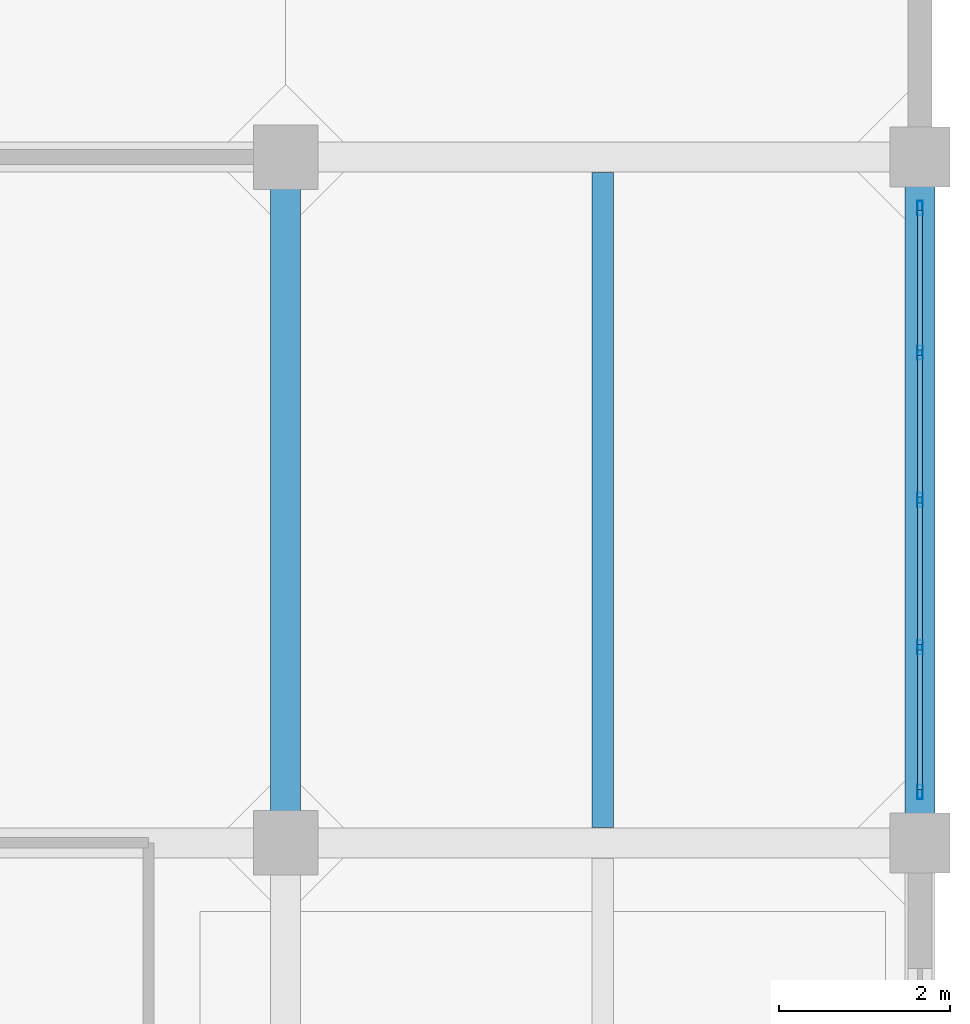
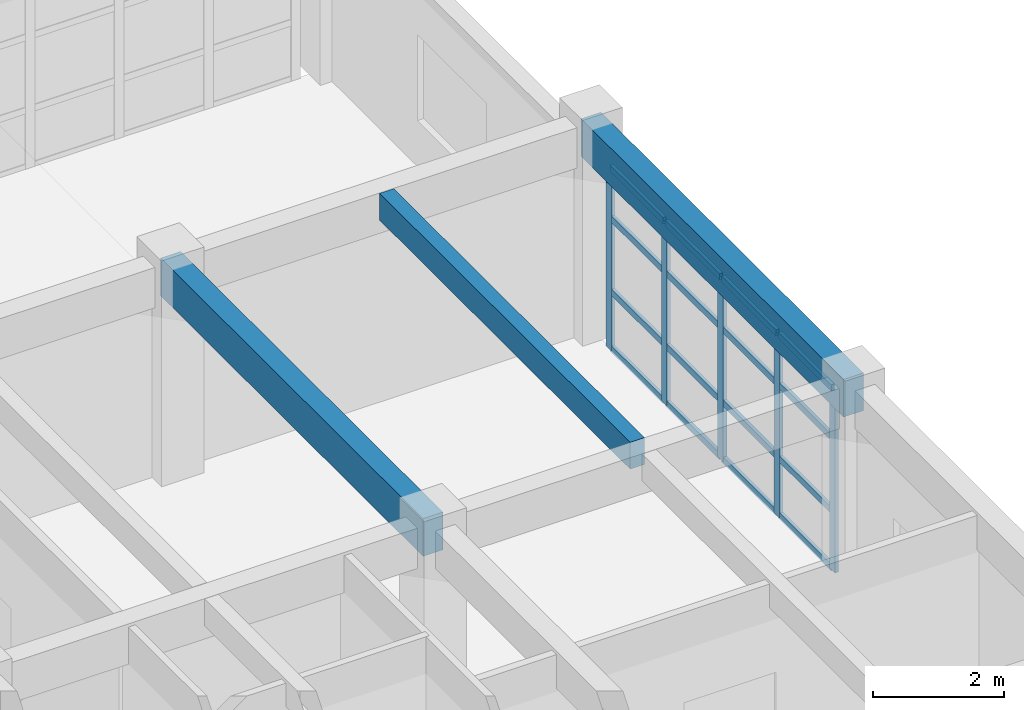
# One storey, part 9 of 19: 21 members, 3 beams, 1 element without a shape of its own.
"""IFC4 building model written with IfcOpenShell, lengths in metres."""

from ifc_helpers import new_model, si_unit, direction, frame, origin, origin_2d, place, context, subcontext, project, spatial, rectangle, hollow_rectangle, extrude, material, layer, layer_set, material_profile, profile_set, type_object, element, aggregate, save


model = new_model("IFC4")

# Units and contexts
model_context = context("Model", 3, precision=1e-05, world=origin(), true_north=direction((0.0, 1.0)))
body_context = subcontext(model_context, "Body", "Model", "MODEL_VIEW")
ifc_project = project(units=[si_unit("LENGTHUNIT", "METRE"), si_unit("AREAUNIT", "SQUARE_METRE"), si_unit("VOLUMEUNIT", "CUBIC_METRE"), si_unit("PLANEANGLEUNIT", "RADIAN"), si_unit("MASSUNIT", "GRAM", prefix="KILO")], contexts=[model_context])

# Site, building, storey
site_placement = place(None, origin())
site = spatial("IfcSite", under=ifc_project, at=site_placement, CompositionType="ELEMENT")
building_placement = place(site_placement, origin())
building = spatial("IfcBuilding", under=site, at=building_placement, Name="Canggui Botanical Conservatory", CompositionType="ELEMENT")
storey_placement = place(building_placement, frame((0.0, 0.0, 44.39990234375)))
storey = spatial("IfcBuildingStorey", under=building, at=storey_placement, Name="L11", CompositionType="ELEMENT", Elevation=44.39990234375)

# Beams
ifc_material_1 = material(Name="Concrete C35", Category="concrete")
ifc_material_profile_1 = material_profile(ifc_material_1, rectangle(XDim=0.25, YDim=0.5, at=origin_2d()), Name="RB 250x500")
ifc_profile_set_1 = profile_set([ifc_material_profile_1], Name="Concrete C35")
beam_type_1 = type_object("IfcBeamType", Name="BM-JST04", PredefinedType="JOIST", material=ifc_profile_set_1)
beam_placement = place(storey_placement, frame((173.699951171875, 58.179931640625, 3.710205078125), z_axis=(0.0, 1.0, 0.0), x_axis=(-1.0, 0.0, 0.0)))
element("IfcBeam", 1, at=beam_placement, inside=storey, type_object=beam_type_1, Name="Secondary Floor Joist L11-4-4", PredefinedType="JOIST", context=body_context, shape_type="SweptSolid", body=[
    extrude(rectangle(XDim=0.25, YDim=0.5, at=origin_2d()), origin(), (0.0, 0.0, 1.0), 7.64013671875),
])
ifc_material_profile_2 = material_profile(ifc_material_1, rectangle(XDim=0.35009765625, YDim=0.699951171875, at=origin_2d()), Name="RB 350x700")
ifc_profile_set_2 = profile_set([ifc_material_profile_2], Name="Concrete C35")
beam_type_2 = type_object("IfcBeamType", Name="BM-KL17", PredefinedType="BEAM", material=ifc_profile_set_2)
for number, where, z_axis, x_axis, name in (
    (2, (170.0, 58.0, 3.610107421875), (0.0, 1.0, 0.0), (-1.0, 0.0, 0.0), "Frame Girder L11 X170-4"),
    (3, (177.39990234375, 58.0, 3.610107421875), (0.0, 1.0, 0.0), (-1.0, 0.0, 0.0), "Frame Girder L11 X178-4"),
):
    element("IfcBeam", number, at=place(storey_placement, frame(where, z_axis=z_axis, x_axis=x_axis)), inside=storey, type_object=beam_type_2, Name=name, PredefinedType="BEAM", context=body_context, shape_type="SweptSolid", body=[
        extrude(rectangle(XDim=0.35009765625, YDim=0.699951171875, at=origin_2d()), origin(), (0.0, 0.0, 1.0), 8.0),
    ])

# Curtain wall, members
ifc_material_2 = material(Name="Thermally Broken Aluminium", Category="aluminium")
ifc_layer = layer(ifc_material_2, 0.1650390625, Name="Thermally Broken Aluminium", Category="aluminium")
ifc_layer_set = layer_set([ifc_layer], Name="Thermally Broken Aluminium")
curtain_wall_type = type_object("IfcCurtainWallType", Name="CW-UNIT-B", PredefinedType="USERDEFINED", material=ifc_layer_set)
curtain_wall_placement = place(storey_placement, origin())
curtain_wall = element("IfcCurtainWall", 4, at=curtain_wall_placement, inside=storey, type_object=curtain_wall_type, Name="Facade Curtain Wall CW-TWR-L11-15", ObjectType="UNITISED CURTAIN WALL", PredefinedType="USERDEFINED")
ifc_material_profile_3 = material_profile(ifc_material_2, hollow_rectangle(XDim=0.06494140625, YDim=0.1650390625, WallThickness=0.00390625, at=origin_2d()), Name="CWM 65x165x4")
ifc_profile_set_3 = profile_set([ifc_material_profile_3], Name="Thermally Broken Aluminium")
member_type_1 = type_object("IfcMemberType", Name="CWM-02", PredefinedType="MULLION", material=ifc_profile_set_3)
member_1_placement = place(storey_placement, frame((177.39990234375, 65.407470703125, 0.0), z_axis=(0.0, 0.0, 1.0), x_axis=(1.0, 0.0, 0.0)))
member_1 = element("IfcMember", 5, at=member_1_placement, type_object=member_type_1, Name="CW-02 mullion 1", PredefinedType="MULLION", context=body_context, shape_type="SweptSolid", body=[
    extrude(hollow_rectangle(XDim=0.06494140625, YDim=0.1650390625, WallThickness=0.00390625, at=origin_2d()), origin(), (0.0, 0.0, 1.0), 3.400146484375),
])
member_2_placement = place(storey_placement, frame((177.39990234375, 63.719970703125, 0.0), z_axis=(0.0, 0.0, 1.0), x_axis=(1.0, 0.0, 0.0)))
member_2 = element("IfcMember", 6, at=member_2_placement, type_object=member_type_1, Name="CW-02 mullion 2", PredefinedType="MULLION", context=body_context, shape_type="SweptSolid", body=[
    extrude(hollow_rectangle(XDim=0.06494140625, YDim=0.1650390625, WallThickness=0.00390625, at=origin_2d()), origin(), (0.0, 0.0, 1.0), 3.400146484375),
])
member_3_placement = place(storey_placement, frame((177.39990234375, 62.0, 0.0), z_axis=(0.0, 0.0, 1.0), x_axis=(1.0, 0.0, 0.0)))
member_3 = element("IfcMember", 7, at=member_3_placement, type_object=member_type_1, Name="CW-02 mullion 3", PredefinedType="MULLION", context=body_context, shape_type="SweptSolid", body=[
    extrude(hollow_rectangle(XDim=0.06494140625, YDim=0.1650390625, WallThickness=0.00390625, at=origin_2d()), origin(), (0.0, 0.0, 1.0), 3.400146484375),
])
member_4_placement = place(storey_placement, frame((177.39990234375, 60.280029296875, 0.0), z_axis=(0.0, 0.0, 1.0), x_axis=(1.0, 0.0, 0.0)))
member_4 = element("IfcMember", 8, at=member_4_placement, type_object=member_type_1, Name="CW-02 mullion 4", PredefinedType="MULLION", context=body_context, shape_type="SweptSolid", body=[
    extrude(hollow_rectangle(XDim=0.06494140625, YDim=0.1650390625, WallThickness=0.00390625, at=origin_2d()), origin(), (0.0, 0.0, 1.0), 3.400146484375),
])
member_5_placement = place(storey_placement, frame((177.39990234375, 58.592529296875, 0.0), z_axis=(0.0, 0.0, 1.0), x_axis=(1.0, 0.0, 0.0)))
member_5 = element("IfcMember", 9, at=member_5_placement, type_object=member_type_1, Name="CW-02 mullion 5", PredefinedType="MULLION", context=body_context, shape_type="SweptSolid", body=[
    extrude(hollow_rectangle(XDim=0.06494140625, YDim=0.1650390625, WallThickness=0.00390625, at=origin_2d()), origin(), (0.0, 0.0, 1.0), 3.400146484375),
])
ifc_material_profile_4 = material_profile(ifc_material_2, hollow_rectangle(XDim=0.06005859375, YDim=0.1201171875, WallThickness=0.00341796875, at=origin_2d()), Name="CWT 60x120x3.5")
ifc_profile_set_4 = profile_set([ifc_material_profile_4], Name="Thermally Broken Aluminium")
member_type_2 = type_object("IfcMemberType", Name="CWT-02", PredefinedType="USERDEFINED", material=ifc_profile_set_4)
member_6_placement = place(storey_placement, frame((177.39990234375, 65.375, 0.030029296875), z_axis=(0.0, -1.0, 0.0), x_axis=(1.0, 0.0, 0.0)))
member_6 = element("IfcMember", 10, at=member_6_placement, type_object=member_type_2, Name="CW-02 transom 1.1", ObjectType="TRANSOM", PredefinedType="USERDEFINED", context=body_context, shape_type="SweptSolid", body=[
    extrude(hollow_rectangle(XDim=0.06005859375, YDim=0.1201171875, WallThickness=0.00341796875, at=origin_2d()), origin(), (0.0, 0.0, 1.0), 1.62255859375),
])
member_7_placement = place(storey_placement, frame((177.39990234375, 65.375, 1.088134765625), z_axis=(0.0, -1.0, 0.0), x_axis=(1.0, 0.0, 0.0)))
member_7 = element("IfcMember", 11, at=member_7_placement, type_object=member_type_2, Name="CW-02 transom 1.2", ObjectType="TRANSOM", PredefinedType="USERDEFINED", context=body_context, shape_type="SweptSolid", body=[
    extrude(hollow_rectangle(XDim=0.06005859375, YDim=0.1201171875, WallThickness=0.00341796875, at=origin_2d()), origin(), (0.0, 0.0, 1.0), 1.62255859375),
])
member_8_placement = place(storey_placement, frame((177.39990234375, 65.375, 2.447998046875), z_axis=(0.0, -1.0, 0.0), x_axis=(1.0, 0.0, 0.0)))
member_8 = element("IfcMember", 12, at=member_8_placement, type_object=member_type_2, Name="CW-02 transom 1.3", ObjectType="TRANSOM", PredefinedType="USERDEFINED", context=body_context, shape_type="SweptSolid", body=[
    extrude(hollow_rectangle(XDim=0.06005859375, YDim=0.1201171875, WallThickness=0.00341796875, at=origin_2d()), origin(), (0.0, 0.0, 1.0), 1.62255859375),
])
member_9_placement = place(storey_placement, frame((177.39990234375, 65.375, 3.3701171875), z_axis=(0.0, -1.0, 0.0), x_axis=(1.0, 0.0, 0.0)))
member_9 = element("IfcMember", 13, at=member_9_placement, type_object=member_type_2, Name="CW-02 transom 1.4", ObjectType="TRANSOM", PredefinedType="USERDEFINED", context=body_context, shape_type="SweptSolid", body=[
    extrude(hollow_rectangle(XDim=0.06005859375, YDim=0.1201171875, WallThickness=0.00341796875, at=origin_2d()), origin(), (0.0, 0.0, 1.0), 1.62255859375),
])
member_10_placement = place(storey_placement, frame((177.39990234375, 63.6875, 0.030029296875), z_axis=(0.0, -1.0, 0.0), x_axis=(1.0, 0.0, 0.0)))
member_10 = element("IfcMember", 14, at=member_10_placement, type_object=member_type_2, Name="CW-02 transom 2.1", ObjectType="TRANSOM", PredefinedType="USERDEFINED", context=body_context, shape_type="SweptSolid", body=[
    extrude(hollow_rectangle(XDim=0.06005859375, YDim=0.1201171875, WallThickness=0.00341796875, at=origin_2d()), origin(), (0.0, 0.0, 1.0), 1.655029296875),
])
member_11_placement = place(storey_placement, frame((177.39990234375, 63.6875, 1.088134765625), z_axis=(0.0, -1.0, 0.0), x_axis=(1.0, 0.0, 0.0)))
member_11 = element("IfcMember", 15, at=member_11_placement, type_object=member_type_2, Name="CW-02 transom 2.2", ObjectType="TRANSOM", PredefinedType="USERDEFINED", context=body_context, shape_type="SweptSolid", body=[
    extrude(hollow_rectangle(XDim=0.06005859375, YDim=0.1201171875, WallThickness=0.00341796875, at=origin_2d()), origin(), (0.0, 0.0, 1.0), 1.655029296875),
])
member_12_placement = place(storey_placement, frame((177.39990234375, 63.6875, 2.447998046875), z_axis=(0.0, -1.0, 0.0), x_axis=(1.0, 0.0, 0.0)))
member_12 = element("IfcMember", 16, at=member_12_placement, type_object=member_type_2, Name="CW-02 transom 2.3", ObjectType="TRANSOM", PredefinedType="USERDEFINED", context=body_context, shape_type="SweptSolid", body=[
    extrude(hollow_rectangle(XDim=0.06005859375, YDim=0.1201171875, WallThickness=0.00341796875, at=origin_2d()), origin(), (0.0, 0.0, 1.0), 1.655029296875),
])
member_13_placement = place(storey_placement, frame((177.39990234375, 63.6875, 3.3701171875), z_axis=(0.0, -1.0, 0.0), x_axis=(1.0, 0.0, 0.0)))
member_13 = element("IfcMember", 17, at=member_13_placement, type_object=member_type_2, Name="CW-02 transom 2.4", ObjectType="TRANSOM", PredefinedType="USERDEFINED", context=body_context, shape_type="SweptSolid", body=[
    extrude(hollow_rectangle(XDim=0.06005859375, YDim=0.1201171875, WallThickness=0.00341796875, at=origin_2d()), origin(), (0.0, 0.0, 1.0), 1.655029296875),
])
member_14_placement = place(storey_placement, frame((177.39990234375, 61.967529296875, 0.030029296875), z_axis=(0.0, -1.0, 0.0), x_axis=(1.0, 0.0, 0.0)))
member_14 = element("IfcMember", 18, at=member_14_placement, type_object=member_type_2, Name="CW-02 transom 3.1", ObjectType="TRANSOM", PredefinedType="USERDEFINED", context=body_context, shape_type="SweptSolid", body=[
    extrude(hollow_rectangle(XDim=0.06005859375, YDim=0.1201171875, WallThickness=0.00341796875, at=origin_2d()), origin(), (0.0, 0.0, 1.0), 1.655029296875),
])
member_15_placement = place(storey_placement, frame((177.39990234375, 61.967529296875, 1.088134765625), z_axis=(0.0, -1.0, 0.0), x_axis=(1.0, 0.0, 0.0)))
member_15 = element("IfcMember", 19, at=member_15_placement, type_object=member_type_2, Name="CW-02 transom 3.2", ObjectType="TRANSOM", PredefinedType="USERDEFINED", context=body_context, shape_type="SweptSolid", body=[
    extrude(hollow_rectangle(XDim=0.06005859375, YDim=0.1201171875, WallThickness=0.00341796875, at=origin_2d()), origin(), (0.0, 0.0, 1.0), 1.655029296875),
])
member_16_placement = place(storey_placement, frame((177.39990234375, 61.967529296875, 2.447998046875), z_axis=(0.0, -1.0, 0.0), x_axis=(1.0, 0.0, 0.0)))
member_16 = element("IfcMember", 20, at=member_16_placement, type_object=member_type_2, Name="CW-02 transom 3.3", ObjectType="TRANSOM", PredefinedType="USERDEFINED", context=body_context, shape_type="SweptSolid", body=[
    extrude(hollow_rectangle(XDim=0.06005859375, YDim=0.1201171875, WallThickness=0.00341796875, at=origin_2d()), origin(), (0.0, 0.0, 1.0), 1.655029296875),
])
member_17_placement = place(storey_placement, frame((177.39990234375, 61.967529296875, 3.3701171875), z_axis=(0.0, -1.0, 0.0), x_axis=(1.0, 0.0, 0.0)))
member_17 = element("IfcMember", 21, at=member_17_placement, type_object=member_type_2, Name="CW-02 transom 3.4", ObjectType="TRANSOM", PredefinedType="USERDEFINED", context=body_context, shape_type="SweptSolid", body=[
    extrude(hollow_rectangle(XDim=0.06005859375, YDim=0.1201171875, WallThickness=0.00341796875, at=origin_2d()), origin(), (0.0, 0.0, 1.0), 1.655029296875),
])
member_18_placement = place(storey_placement, frame((177.39990234375, 60.24755859375, 0.030029296875), z_axis=(0.0, -1.0, 0.0), x_axis=(1.0, 0.0, 0.0)))
member_18 = element("IfcMember", 22, at=member_18_placement, type_object=member_type_2, Name="CW-02 transom 4.1", ObjectType="TRANSOM", PredefinedType="USERDEFINED", context=body_context, shape_type="SweptSolid", body=[
    extrude(hollow_rectangle(XDim=0.06005859375, YDim=0.1201171875, WallThickness=0.00341796875, at=origin_2d()), origin(), (0.0, 0.0, 1.0), 1.62255859375),
])
member_19_placement = place(storey_placement, frame((177.39990234375, 60.24755859375, 1.088134765625), z_axis=(0.0, -1.0, 0.0), x_axis=(1.0, 0.0, 0.0)))
member_19 = element("IfcMember", 23, at=member_19_placement, type_object=member_type_2, Name="CW-02 transom 4.2", ObjectType="TRANSOM", PredefinedType="USERDEFINED", context=body_context, shape_type="SweptSolid", body=[
    extrude(hollow_rectangle(XDim=0.06005859375, YDim=0.1201171875, WallThickness=0.00341796875, at=origin_2d()), origin(), (0.0, 0.0, 1.0), 1.62255859375),
])
member_20_placement = place(storey_placement, frame((177.39990234375, 60.24755859375, 2.447998046875), z_axis=(0.0, -1.0, 0.0), x_axis=(1.0, 0.0, 0.0)))
member_20 = element("IfcMember", 24, at=member_20_placement, type_object=member_type_2, Name="CW-02 transom 4.3", ObjectType="TRANSOM", PredefinedType="USERDEFINED", context=body_context, shape_type="SweptSolid", body=[
    extrude(hollow_rectangle(XDim=0.06005859375, YDim=0.1201171875, WallThickness=0.00341796875, at=origin_2d()), origin(), (0.0, 0.0, 1.0), 1.62255859375),
])
member_21_placement = place(storey_placement, frame((177.39990234375, 60.24755859375, 3.3701171875), z_axis=(0.0, -1.0, 0.0), x_axis=(1.0, 0.0, 0.0)))
member_21 = element("IfcMember", 25, at=member_21_placement, type_object=member_type_2, Name="CW-02 transom 4.4", ObjectType="TRANSOM", PredefinedType="USERDEFINED", context=body_context, shape_type="SweptSolid", body=[
    extrude(hollow_rectangle(XDim=0.06005859375, YDim=0.1201171875, WallThickness=0.00341796875, at=origin_2d()), origin(), (0.0, 0.0, 1.0), 1.62255859375),
])
aggregate(curtain_wall, [member_1, member_2, member_3, member_4, member_5, member_6, member_7, member_8, member_9, member_10, member_11, member_12, member_13, member_14, member_15, member_16, member_17, member_18, member_19, member_20, member_21])

save(model, "model.ifc")
